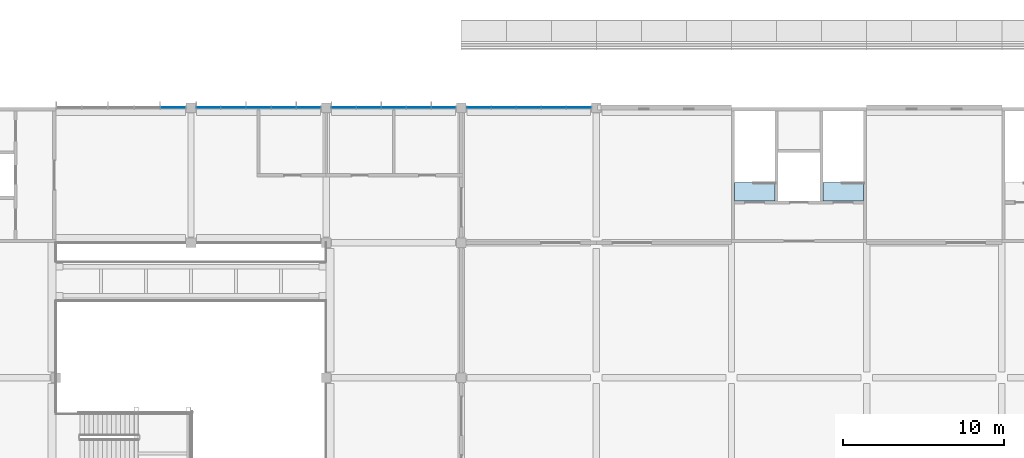
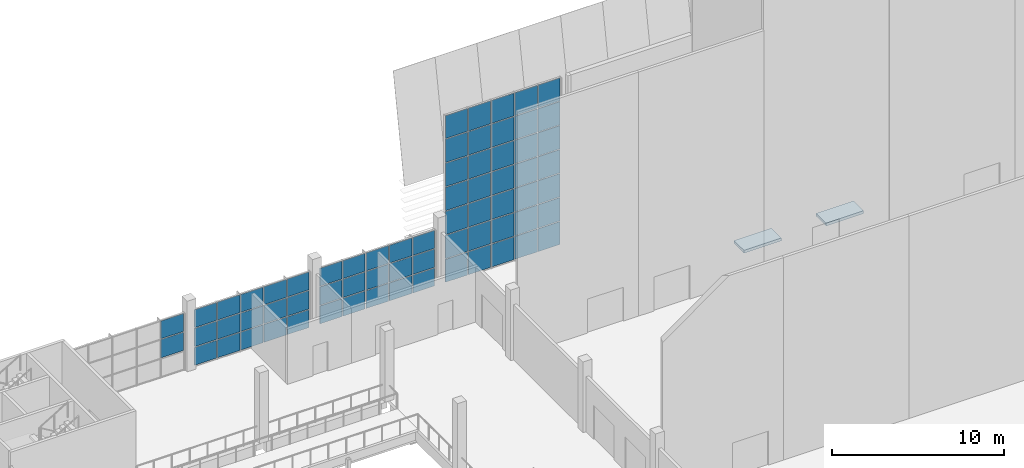
# One storey, part 17 of 59: 67 plates, 2 slabs, 4 elements without a shape of their own.
"""IFC4 building model written with IfcOpenShell, lengths in metres."""

from ifc_helpers import new_model, si_unit, direction, frame, origin, origin_2d, place, context, subcontext, project, spatial, polyline, rectangle, outline, extrude, material, layer, layer_set, type_object, element, aggregate, save


model = new_model("IFC4")

# Units and contexts
model_context = context("Model", 3, precision=1e-05, world=origin(), true_north=direction((0.0, 1.0)))
body_context = subcontext(model_context, "Body", "Model", "MODEL_VIEW")
ifc_project = project(units=[si_unit("LENGTHUNIT", "METRE"), si_unit("AREAUNIT", "SQUARE_METRE"), si_unit("VOLUMEUNIT", "CUBIC_METRE"), si_unit("PLANEANGLEUNIT", "RADIAN"), si_unit("MASSUNIT", "GRAM", prefix="KILO")], contexts=[model_context])

# Site, building, storey
site_placement = place(None, origin())
site = spatial("IfcSite", under=ifc_project, at=site_placement, CompositionType="ELEMENT")
building_placement = place(site_placement, origin())
building = spatial("IfcBuilding", under=site, at=building_placement, Name="Almond Square Museum", CompositionType="ELEMENT")
storey_placement = place(building_placement, frame((0.0, 0.0, 25.0)))
storey = spatial("IfcBuildingStorey", under=building, at=storey_placement, Name="L04", CompositionType="ELEMENT", Elevation=25.0)

# Slabs
ifc_material_1 = material(Name="Concrete C40/50", Category="concrete")
ifc_layer_1 = layer(ifc_material_1, 0.199951171875)
ifc_layer_set_1 = layer_set([ifc_layer_1], Name="Concrete C40/50")
slab_type = type_object("IfcSlabType", Name="Concrete stair landing 200", PredefinedType="LANDING", material=ifc_layer_set_1)
slab_1_placement = place(storey_placement, frame((0.0, 0.0, -0.199951171875)))
element("IfcSlab", 1, at=slab_1_placement, inside=storey, type_object=slab_type, Name="L04 stair H4-1 floor landing", PredefinedType="LANDING", context=body_context, shape_type="SweptSolid", body=[
    extrude(outline(polyline([(123.800048828125, 103.39990234375), (126.300048828125, 103.39990234375), (126.300048828125, 104.552978515625), (123.800048828125, 104.552978515625), (123.800048828125, 103.39990234375)])), origin(), (0.0, 0.0, 1.0), 0.199951171875),
])
slab_2_placement = place(storey_placement, frame((0.0, 0.0, -0.199951171875)))
element("IfcSlab", 2, at=slab_2_placement, inside=storey, type_object=slab_type, Name="L04 stair H4-2 floor landing", PredefinedType="LANDING", context=body_context, shape_type="SweptSolid", body=[
    extrude(outline(polyline([(129.300048828125, 103.39990234375), (131.800048828125, 103.39990234375), (131.800048828125, 104.552978515625), (129.300048828125, 104.552978515625), (129.300048828125, 103.39990234375)])), origin(), (0.0, 0.0, 1.0), 0.199951171875),
])

# Curtain wall, plates
ifc_material_2 = material(Name="Aluminium and laminated glass", Category="aluminium")
curtain_wall_type = type_object("IfcCurtainWallType", Name="Unitised curtain wall 1500 module", PredefinedType="NOTDEFINED", material=ifc_material_2)
curtain_wall_1_placement = place(storey_placement, origin())
curtain_wall_1 = element("IfcCurtainWall", 3, at=curtain_wall_1_placement, inside=storey, type_object=curtain_wall_type, Name="Curtain wall CW-40", PredefinedType="NOTDEFINED")
ifc_material_3 = material(Name="Laminated hurricane-rated glass", Category="glass")
ifc_layer_2 = layer(ifc_material_3, 0.035888671875)
ifc_layer_set_2 = layer_set([ifc_layer_2], Name="Laminated hurricane-rated glass")
plate_type = type_object("IfcPlateType", Name="Laminated glass panel 36", PredefinedType="CURTAIN_PANEL", material=ifc_layer_set_2)
plate_1_placement = place(storey_placement, frame((107.89501953125, 109.199951171875, 0.06005859375), z_axis=(0.0, 0.0, 1.0), x_axis=(1.0, 0.0, 0.0)))
plate_1 = element("IfcPlate", 4, at=plate_1_placement, type_object=plate_type, Name="CW-40 panel 1.1", PredefinedType="CURTAIN_PANEL", context=body_context, shape_type="SweptSolid", body=[
    extrude(rectangle(XDim=1.469970703125, YDim=0.035888671875, at=origin_2d()), origin(), (0.0, 0.0, 1.0), 1.610107421875),
])
plate_2_placement = place(storey_placement, frame((107.89501953125, 109.199951171875, 1.72998046875), z_axis=(0.0, 0.0, 1.0), x_axis=(1.0, 0.0, 0.0)))
plate_2 = element("IfcPlate", 5, at=plate_2_placement, type_object=plate_type, Name="CW-40 panel 1.2", PredefinedType="CURTAIN_PANEL", context=body_context, shape_type="SweptSolid", body=[
    extrude(rectangle(XDim=1.469970703125, YDim=0.035888671875, at=origin_2d()), origin(), (0.0, 0.0, 1.0), 1.639892578125),
])
plate_3_placement = place(storey_placement, frame((107.89501953125, 109.199951171875, 3.43017578125), z_axis=(0.0, 0.0, 1.0), x_axis=(1.0, 0.0, 0.0)))
plate_3 = element("IfcPlate", 6, at=plate_3_placement, type_object=plate_type, Name="CW-40 panel 1.3", PredefinedType="CURTAIN_PANEL", context=body_context, shape_type="SweptSolid", body=[
    extrude(rectangle(XDim=1.469970703125, YDim=0.035888671875, at=origin_2d()), origin(), (0.0, 0.0, 1.0), 1.639892578125),
])
plate_4_placement = place(storey_placement, frame((107.89501953125, 109.199951171875, 5.1298828125), z_axis=(0.0, 0.0, 1.0), x_axis=(1.0, 0.0, 0.0)))
plate_4 = element("IfcPlate", 7, at=plate_4_placement, type_object=plate_type, Name="CW-40 panel 1.4", PredefinedType="CURTAIN_PANEL", context=body_context, shape_type="SweptSolid", body=[
    extrude(rectangle(XDim=1.469970703125, YDim=0.035888671875, at=origin_2d()), origin(), (0.0, 0.0, 1.0), 1.639892578125),
])
plate_5_placement = place(storey_placement, frame((107.89501953125, 109.199951171875, 6.830078125), z_axis=(0.0, 0.0, 1.0), x_axis=(1.0, 0.0, 0.0)))
plate_5 = element("IfcPlate", 8, at=plate_5_placement, type_object=plate_type, Name="CW-40 panel 1.5", PredefinedType="CURTAIN_PANEL", context=body_context, shape_type="SweptSolid", body=[
    extrude(rectangle(XDim=1.469970703125, YDim=0.035888671875, at=origin_2d()), origin(), (0.0, 0.0, 1.0), 1.639892578125),
])
plate_6_placement = place(storey_placement, frame((107.89501953125, 109.199951171875, 8.5302734375), z_axis=(0.0, 0.0, 1.0), x_axis=(1.0, 0.0, 0.0)))
plate_6 = element("IfcPlate", 9, at=plate_6_placement, type_object=plate_type, Name="CW-40 panel 1.6", PredefinedType="CURTAIN_PANEL", context=body_context, shape_type="SweptSolid", body=[
    extrude(rectangle(XDim=1.469970703125, YDim=0.035888671875, at=origin_2d()), origin(), (0.0, 0.0, 1.0), 1.639892578125),
])
plate_7_placement = place(storey_placement, frame((107.89501953125, 109.199951171875, 10.22998046875), z_axis=(0.0, 0.0, 1.0), x_axis=(1.0, 0.0, 0.0)))
plate_7 = element("IfcPlate", 10, at=plate_7_placement, type_object=plate_type, Name="CW-40 panel 1.7", PredefinedType="CURTAIN_PANEL", context=body_context, shape_type="SweptSolid", body=[
    extrude(rectangle(XDim=1.469970703125, YDim=0.035888671875, at=origin_2d()), origin(), (0.0, 0.0, 1.0), 1.610107421875),
])
plate_8_placement = place(storey_placement, frame((109.43994140625, 109.199951171875, 0.06005859375), z_axis=(0.0, 0.0, 1.0), x_axis=(1.0, 0.0, 0.0)))
plate_8 = element("IfcPlate", 11, at=plate_8_placement, type_object=plate_type, Name="CW-40 panel 2.1", PredefinedType="CURTAIN_PANEL", context=body_context, shape_type="SweptSolid", body=[
    extrude(rectangle(XDim=1.5, YDim=0.035888671875, at=origin_2d()), origin(), (0.0, 0.0, 1.0), 1.610107421875),
])
plate_9_placement = place(storey_placement, frame((109.43994140625, 109.199951171875, 1.72998046875), z_axis=(0.0, 0.0, 1.0), x_axis=(1.0, 0.0, 0.0)))
plate_9 = element("IfcPlate", 12, at=plate_9_placement, type_object=plate_type, Name="CW-40 panel 2.2", PredefinedType="CURTAIN_PANEL", context=body_context, shape_type="SweptSolid", body=[
    extrude(rectangle(XDim=1.5, YDim=0.035888671875, at=origin_2d()), origin(), (0.0, 0.0, 1.0), 1.639892578125),
])
plate_10_placement = place(storey_placement, frame((109.43994140625, 109.199951171875, 3.43017578125), z_axis=(0.0, 0.0, 1.0), x_axis=(1.0, 0.0, 0.0)))
plate_10 = element("IfcPlate", 13, at=plate_10_placement, type_object=plate_type, Name="CW-40 panel 2.3", PredefinedType="CURTAIN_PANEL", context=body_context, shape_type="SweptSolid", body=[
    extrude(rectangle(XDim=1.5, YDim=0.035888671875, at=origin_2d()), origin(), (0.0, 0.0, 1.0), 1.639892578125),
])
plate_11_placement = place(storey_placement, frame((109.43994140625, 109.199951171875, 5.1298828125), z_axis=(0.0, 0.0, 1.0), x_axis=(1.0, 0.0, 0.0)))
plate_11 = element("IfcPlate", 14, at=plate_11_placement, type_object=plate_type, Name="CW-40 panel 2.4", PredefinedType="CURTAIN_PANEL", context=body_context, shape_type="SweptSolid", body=[
    extrude(rectangle(XDim=1.5, YDim=0.035888671875, at=origin_2d()), origin(), (0.0, 0.0, 1.0), 1.639892578125),
])
plate_12_placement = place(storey_placement, frame((109.43994140625, 109.199951171875, 6.830078125), z_axis=(0.0, 0.0, 1.0), x_axis=(1.0, 0.0, 0.0)))
plate_12 = element("IfcPlate", 15, at=plate_12_placement, type_object=plate_type, Name="CW-40 panel 2.5", PredefinedType="CURTAIN_PANEL", context=body_context, shape_type="SweptSolid", body=[
    extrude(rectangle(XDim=1.5, YDim=0.035888671875, at=origin_2d()), origin(), (0.0, 0.0, 1.0), 1.639892578125),
])
plate_13_placement = place(storey_placement, frame((109.43994140625, 109.199951171875, 8.5302734375), z_axis=(0.0, 0.0, 1.0), x_axis=(1.0, 0.0, 0.0)))
plate_13 = element("IfcPlate", 16, at=plate_13_placement, type_object=plate_type, Name="CW-40 panel 2.6", PredefinedType="CURTAIN_PANEL", context=body_context, shape_type="SweptSolid", body=[
    extrude(rectangle(XDim=1.5, YDim=0.035888671875, at=origin_2d()), origin(), (0.0, 0.0, 1.0), 1.639892578125),
])
plate_14_placement = place(storey_placement, frame((109.43994140625, 109.199951171875, 10.22998046875), z_axis=(0.0, 0.0, 1.0), x_axis=(1.0, 0.0, 0.0)))
plate_14 = element("IfcPlate", 17, at=plate_14_placement, type_object=plate_type, Name="CW-40 panel 2.7", PredefinedType="CURTAIN_PANEL", context=body_context, shape_type="SweptSolid", body=[
    extrude(rectangle(XDim=1.5, YDim=0.035888671875, at=origin_2d()), origin(), (0.0, 0.0, 1.0), 1.610107421875),
])
plate_15_placement = place(storey_placement, frame((111.0, 109.199951171875, 0.06005859375), z_axis=(0.0, 0.0, 1.0), x_axis=(1.0, 0.0, 0.0)))
plate_15 = element("IfcPlate", 18, at=plate_15_placement, type_object=plate_type, Name="CW-40 panel 3.1", PredefinedType="CURTAIN_PANEL", context=body_context, shape_type="SweptSolid", body=[
    extrude(rectangle(XDim=1.5, YDim=0.035888671875, at=origin_2d()), origin(), (0.0, 0.0, 1.0), 1.610107421875),
])
plate_16_placement = place(storey_placement, frame((111.0, 109.199951171875, 1.72998046875), z_axis=(0.0, 0.0, 1.0), x_axis=(1.0, 0.0, 0.0)))
plate_16 = element("IfcPlate", 19, at=plate_16_placement, type_object=plate_type, Name="CW-40 panel 3.2", PredefinedType="CURTAIN_PANEL", context=body_context, shape_type="SweptSolid", body=[
    extrude(rectangle(XDim=1.5, YDim=0.035888671875, at=origin_2d()), origin(), (0.0, 0.0, 1.0), 1.639892578125),
])
plate_17_placement = place(storey_placement, frame((111.0, 109.199951171875, 3.43017578125), z_axis=(0.0, 0.0, 1.0), x_axis=(1.0, 0.0, 0.0)))
plate_17 = element("IfcPlate", 20, at=plate_17_placement, type_object=plate_type, Name="CW-40 panel 3.3", PredefinedType="CURTAIN_PANEL", context=body_context, shape_type="SweptSolid", body=[
    extrude(rectangle(XDim=1.5, YDim=0.035888671875, at=origin_2d()), origin(), (0.0, 0.0, 1.0), 1.639892578125),
])
plate_18_placement = place(storey_placement, frame((111.0, 109.199951171875, 5.1298828125), z_axis=(0.0, 0.0, 1.0), x_axis=(1.0, 0.0, 0.0)))
plate_18 = element("IfcPlate", 21, at=plate_18_placement, type_object=plate_type, Name="CW-40 panel 3.4", PredefinedType="CURTAIN_PANEL", context=body_context, shape_type="SweptSolid", body=[
    extrude(rectangle(XDim=1.5, YDim=0.035888671875, at=origin_2d()), origin(), (0.0, 0.0, 1.0), 1.639892578125),
])
plate_19_placement = place(storey_placement, frame((111.0, 109.199951171875, 6.830078125), z_axis=(0.0, 0.0, 1.0), x_axis=(1.0, 0.0, 0.0)))
plate_19 = element("IfcPlate", 22, at=plate_19_placement, type_object=plate_type, Name="CW-40 panel 3.5", PredefinedType="CURTAIN_PANEL", context=body_context, shape_type="SweptSolid", body=[
    extrude(rectangle(XDim=1.5, YDim=0.035888671875, at=origin_2d()), origin(), (0.0, 0.0, 1.0), 1.639892578125),
])
plate_20_placement = place(storey_placement, frame((111.0, 109.199951171875, 8.5302734375), z_axis=(0.0, 0.0, 1.0), x_axis=(1.0, 0.0, 0.0)))
plate_20 = element("IfcPlate", 23, at=plate_20_placement, type_object=plate_type, Name="CW-40 panel 3.6", PredefinedType="CURTAIN_PANEL", context=body_context, shape_type="SweptSolid", body=[
    extrude(rectangle(XDim=1.5, YDim=0.035888671875, at=origin_2d()), origin(), (0.0, 0.0, 1.0), 1.639892578125),
])
plate_21_placement = place(storey_placement, frame((111.0, 109.199951171875, 10.22998046875), z_axis=(0.0, 0.0, 1.0), x_axis=(1.0, 0.0, 0.0)))
plate_21 = element("IfcPlate", 24, at=plate_21_placement, type_object=plate_type, Name="CW-40 panel 3.7", PredefinedType="CURTAIN_PANEL", context=body_context, shape_type="SweptSolid", body=[
    extrude(rectangle(XDim=1.5, YDim=0.035888671875, at=origin_2d()), origin(), (0.0, 0.0, 1.0), 1.610107421875),
])
plate_22_placement = place(storey_placement, frame((112.56005859375, 109.199951171875, 0.06005859375), z_axis=(0.0, 0.0, 1.0), x_axis=(1.0, 0.0, 0.0)))
plate_22 = element("IfcPlate", 25, at=plate_22_placement, type_object=plate_type, Name="CW-40 panel 4.1", PredefinedType="CURTAIN_PANEL", context=body_context, shape_type="SweptSolid", body=[
    extrude(rectangle(XDim=1.5, YDim=0.035888671875, at=origin_2d()), origin(), (0.0, 0.0, 1.0), 1.610107421875),
])
plate_23_placement = place(storey_placement, frame((112.56005859375, 109.199951171875, 1.72998046875), z_axis=(0.0, 0.0, 1.0), x_axis=(1.0, 0.0, 0.0)))
plate_23 = element("IfcPlate", 26, at=plate_23_placement, type_object=plate_type, Name="CW-40 panel 4.2", PredefinedType="CURTAIN_PANEL", context=body_context, shape_type="SweptSolid", body=[
    extrude(rectangle(XDim=1.5, YDim=0.035888671875, at=origin_2d()), origin(), (0.0, 0.0, 1.0), 1.639892578125),
])
plate_24_placement = place(storey_placement, frame((112.56005859375, 109.199951171875, 3.43017578125), z_axis=(0.0, 0.0, 1.0), x_axis=(1.0, 0.0, 0.0)))
plate_24 = element("IfcPlate", 27, at=plate_24_placement, type_object=plate_type, Name="CW-40 panel 4.3", PredefinedType="CURTAIN_PANEL", context=body_context, shape_type="SweptSolid", body=[
    extrude(rectangle(XDim=1.5, YDim=0.035888671875, at=origin_2d()), origin(), (0.0, 0.0, 1.0), 1.639892578125),
])
plate_25_placement = place(storey_placement, frame((112.56005859375, 109.199951171875, 5.1298828125), z_axis=(0.0, 0.0, 1.0), x_axis=(1.0, 0.0, 0.0)))
plate_25 = element("IfcPlate", 28, at=plate_25_placement, type_object=plate_type, Name="CW-40 panel 4.4", PredefinedType="CURTAIN_PANEL", context=body_context, shape_type="SweptSolid", body=[
    extrude(rectangle(XDim=1.5, YDim=0.035888671875, at=origin_2d()), origin(), (0.0, 0.0, 1.0), 1.639892578125),
])
plate_26_placement = place(storey_placement, frame((112.56005859375, 109.199951171875, 6.830078125), z_axis=(0.0, 0.0, 1.0), x_axis=(1.0, 0.0, 0.0)))
plate_26 = element("IfcPlate", 29, at=plate_26_placement, type_object=plate_type, Name="CW-40 panel 4.5", PredefinedType="CURTAIN_PANEL", context=body_context, shape_type="SweptSolid", body=[
    extrude(rectangle(XDim=1.5, YDim=0.035888671875, at=origin_2d()), origin(), (0.0, 0.0, 1.0), 1.639892578125),
])
plate_27_placement = place(storey_placement, frame((112.56005859375, 109.199951171875, 8.5302734375), z_axis=(0.0, 0.0, 1.0), x_axis=(1.0, 0.0, 0.0)))
plate_27 = element("IfcPlate", 30, at=plate_27_placement, type_object=plate_type, Name="CW-40 panel 4.6", PredefinedType="CURTAIN_PANEL", context=body_context, shape_type="SweptSolid", body=[
    extrude(rectangle(XDim=1.5, YDim=0.035888671875, at=origin_2d()), origin(), (0.0, 0.0, 1.0), 1.639892578125),
])
plate_28_placement = place(storey_placement, frame((112.56005859375, 109.199951171875, 10.22998046875), z_axis=(0.0, 0.0, 1.0), x_axis=(1.0, 0.0, 0.0)))
plate_28 = element("IfcPlate", 31, at=plate_28_placement, type_object=plate_type, Name="CW-40 panel 4.7", PredefinedType="CURTAIN_PANEL", context=body_context, shape_type="SweptSolid", body=[
    extrude(rectangle(XDim=1.5, YDim=0.035888671875, at=origin_2d()), origin(), (0.0, 0.0, 1.0), 1.610107421875),
])
plate_29_placement = place(storey_placement, frame((114.10498046875, 109.199951171875, 0.06005859375), z_axis=(0.0, 0.0, 1.0), x_axis=(1.0, 0.0, 0.0)))
plate_29 = element("IfcPlate", 32, at=plate_29_placement, type_object=plate_type, Name="CW-40 panel 5.1", PredefinedType="CURTAIN_PANEL", context=body_context, shape_type="SweptSolid", body=[
    extrude(rectangle(XDim=1.469970703125, YDim=0.035888671875, at=origin_2d()), origin(), (0.0, 0.0, 1.0), 1.610107421875),
])
plate_30_placement = place(storey_placement, frame((114.10498046875, 109.199951171875, 1.72998046875), z_axis=(0.0, 0.0, 1.0), x_axis=(1.0, 0.0, 0.0)))
plate_30 = element("IfcPlate", 33, at=plate_30_placement, type_object=plate_type, Name="CW-40 panel 5.2", PredefinedType="CURTAIN_PANEL", context=body_context, shape_type="SweptSolid", body=[
    extrude(rectangle(XDim=1.469970703125, YDim=0.035888671875, at=origin_2d()), origin(), (0.0, 0.0, 1.0), 1.639892578125),
])
plate_31_placement = place(storey_placement, frame((114.10498046875, 109.199951171875, 3.43017578125), z_axis=(0.0, 0.0, 1.0), x_axis=(1.0, 0.0, 0.0)))
plate_31 = element("IfcPlate", 34, at=plate_31_placement, type_object=plate_type, Name="CW-40 panel 5.3", PredefinedType="CURTAIN_PANEL", context=body_context, shape_type="SweptSolid", body=[
    extrude(rectangle(XDim=1.469970703125, YDim=0.035888671875, at=origin_2d()), origin(), (0.0, 0.0, 1.0), 1.639892578125),
])
plate_32_placement = place(storey_placement, frame((114.10498046875, 109.199951171875, 5.1298828125), z_axis=(0.0, 0.0, 1.0), x_axis=(1.0, 0.0, 0.0)))
plate_32 = element("IfcPlate", 35, at=plate_32_placement, type_object=plate_type, Name="CW-40 panel 5.4", PredefinedType="CURTAIN_PANEL", context=body_context, shape_type="SweptSolid", body=[
    extrude(rectangle(XDim=1.469970703125, YDim=0.035888671875, at=origin_2d()), origin(), (0.0, 0.0, 1.0), 1.639892578125),
])
plate_33_placement = place(storey_placement, frame((114.10498046875, 109.199951171875, 6.830078125), z_axis=(0.0, 0.0, 1.0), x_axis=(1.0, 0.0, 0.0)))
plate_33 = element("IfcPlate", 36, at=plate_33_placement, type_object=plate_type, Name="CW-40 panel 5.5", PredefinedType="CURTAIN_PANEL", context=body_context, shape_type="SweptSolid", body=[
    extrude(rectangle(XDim=1.469970703125, YDim=0.035888671875, at=origin_2d()), origin(), (0.0, 0.0, 1.0), 1.639892578125),
])
plate_34_placement = place(storey_placement, frame((114.10498046875, 109.199951171875, 8.5302734375), z_axis=(0.0, 0.0, 1.0), x_axis=(1.0, 0.0, 0.0)))
plate_34 = element("IfcPlate", 37, at=plate_34_placement, type_object=plate_type, Name="CW-40 panel 5.6", PredefinedType="CURTAIN_PANEL", context=body_context, shape_type="SweptSolid", body=[
    extrude(rectangle(XDim=1.469970703125, YDim=0.035888671875, at=origin_2d()), origin(), (0.0, 0.0, 1.0), 1.639892578125),
])
plate_35_placement = place(storey_placement, frame((114.10498046875, 109.199951171875, 10.22998046875), z_axis=(0.0, 0.0, 1.0), x_axis=(1.0, 0.0, 0.0)))
plate_35 = element("IfcPlate", 38, at=plate_35_placement, type_object=plate_type, Name="CW-40 panel 5.7", PredefinedType="CURTAIN_PANEL", context=body_context, shape_type="SweptSolid", body=[
    extrude(rectangle(XDim=1.469970703125, YDim=0.035888671875, at=origin_2d()), origin(), (0.0, 0.0, 1.0), 1.610107421875),
])
aggregate(curtain_wall_1, [plate_1, plate_2, plate_3, plate_4, plate_5, plate_6, plate_7, plate_8, plate_9, plate_10, plate_11, plate_12, plate_13, plate_14, plate_15, plate_16, plate_17, plate_18, plate_19, plate_20, plate_21, plate_22, plate_23, plate_24, plate_25, plate_26, plate_27, plate_28, plate_29, plate_30, plate_31, plate_32, plate_33, plate_34, plate_35])

curtain_wall_2_placement = place(storey_placement, origin())
curtain_wall_2 = element("IfcCurtainWall", 39, at=curtain_wall_2_placement, inside=storey, type_object=curtain_wall_type, Name="Curtain wall CW-41", PredefinedType="NOTDEFINED")
plate_36_placement = place(storey_placement, frame((99.4951171875, 109.199951171875, 0.06005859375), z_axis=(0.0, 0.0, 1.0), x_axis=(1.0, 0.0, 0.0)))
plate_36 = element("IfcPlate", 40, at=plate_36_placement, type_object=plate_type, Name="CW-41 panel 1.1", PredefinedType="CURTAIN_PANEL", context=body_context, shape_type="SweptSolid", body=[
    extrude(rectangle(XDim=1.469970703125, YDim=0.035888671875, at=origin_2d()), origin(), (0.0, 0.0, 1.0), 1.260009765625),
])
plate_37_placement = place(storey_placement, frame((99.4951171875, 109.199951171875, 1.3798828125), z_axis=(0.0, 0.0, 1.0), x_axis=(1.0, 0.0, 0.0)))
plate_37 = element("IfcPlate", 41, at=plate_37_placement, type_object=plate_type, Name="CW-41 panel 1.2", PredefinedType="CURTAIN_PANEL", context=body_context, shape_type="SweptSolid", body=[
    extrude(rectangle(XDim=1.469970703125, YDim=0.035888671875, at=origin_2d()), origin(), (0.0, 0.0, 1.0), 1.2900390625),
])
plate_38_placement = place(storey_placement, frame((99.4951171875, 109.199951171875, 2.72998046875), z_axis=(0.0, 0.0, 1.0), x_axis=(1.0, 0.0, 0.0)))
plate_38 = element("IfcPlate", 42, at=plate_38_placement, type_object=plate_type, Name="CW-41 panel 1.3", PredefinedType="CURTAIN_PANEL", context=body_context, shape_type="SweptSolid", body=[
    extrude(rectangle(XDim=1.469970703125, YDim=0.035888671875, at=origin_2d()), origin(), (0.0, 0.0, 1.0), 1.260009765625),
])
plate_39_placement = place(storey_placement, frame((101.0400390625, 109.199951171875, 0.06005859375), z_axis=(0.0, 0.0, 1.0), x_axis=(1.0, 0.0, 0.0)))
plate_39 = element("IfcPlate", 43, at=plate_39_placement, type_object=plate_type, Name="CW-41 panel 2.1", PredefinedType="CURTAIN_PANEL", context=body_context, shape_type="SweptSolid", body=[
    extrude(rectangle(XDim=1.5, YDim=0.035888671875, at=origin_2d()), origin(), (0.0, 0.0, 1.0), 1.260009765625),
])
plate_40_placement = place(storey_placement, frame((101.0400390625, 109.199951171875, 1.3798828125), z_axis=(0.0, 0.0, 1.0), x_axis=(1.0, 0.0, 0.0)))
plate_40 = element("IfcPlate", 44, at=plate_40_placement, type_object=plate_type, Name="CW-41 panel 2.2", PredefinedType="CURTAIN_PANEL", context=body_context, shape_type="SweptSolid", body=[
    extrude(rectangle(XDim=1.5, YDim=0.035888671875, at=origin_2d()), origin(), (0.0, 0.0, 1.0), 1.2900390625),
])
plate_41_placement = place(storey_placement, frame((101.0400390625, 109.199951171875, 2.72998046875), z_axis=(0.0, 0.0, 1.0), x_axis=(1.0, 0.0, 0.0)))
plate_41 = element("IfcPlate", 45, at=plate_41_placement, type_object=plate_type, Name="CW-41 panel 2.3", PredefinedType="CURTAIN_PANEL", context=body_context, shape_type="SweptSolid", body=[
    extrude(rectangle(XDim=1.5, YDim=0.035888671875, at=origin_2d()), origin(), (0.0, 0.0, 1.0), 1.260009765625),
])
plate_42_placement = place(storey_placement, frame((102.60009765625, 109.199951171875, 0.06005859375), z_axis=(0.0, 0.0, 1.0), x_axis=(1.0, 0.0, 0.0)))
plate_42 = element("IfcPlate", 46, at=plate_42_placement, type_object=plate_type, Name="CW-41 panel 3.1", PredefinedType="CURTAIN_PANEL", context=body_context, shape_type="SweptSolid", body=[
    extrude(rectangle(XDim=1.5, YDim=0.035888671875, at=origin_2d()), origin(), (0.0, 0.0, 1.0), 1.260009765625),
])
plate_43_placement = place(storey_placement, frame((102.60009765625, 109.199951171875, 1.3798828125), z_axis=(0.0, 0.0, 1.0), x_axis=(1.0, 0.0, 0.0)))
plate_43 = element("IfcPlate", 47, at=plate_43_placement, type_object=plate_type, Name="CW-41 panel 3.2", PredefinedType="CURTAIN_PANEL", context=body_context, shape_type="SweptSolid", body=[
    extrude(rectangle(XDim=1.5, YDim=0.035888671875, at=origin_2d()), origin(), (0.0, 0.0, 1.0), 1.2900390625),
])
plate_44_placement = place(storey_placement, frame((102.60009765625, 109.199951171875, 2.72998046875), z_axis=(0.0, 0.0, 1.0), x_axis=(1.0, 0.0, 0.0)))
plate_44 = element("IfcPlate", 48, at=plate_44_placement, type_object=plate_type, Name="CW-41 panel 3.3", PredefinedType="CURTAIN_PANEL", context=body_context, shape_type="SweptSolid", body=[
    extrude(rectangle(XDim=1.5, YDim=0.035888671875, at=origin_2d()), origin(), (0.0, 0.0, 1.0), 1.260009765625),
])
plate_45_placement = place(storey_placement, frame((104.159912109375, 109.199951171875, 0.06005859375), z_axis=(0.0, 0.0, 1.0), x_axis=(1.0, 0.0, 0.0)))
plate_45 = element("IfcPlate", 49, at=plate_45_placement, type_object=plate_type, Name="CW-41 panel 4.1", PredefinedType="CURTAIN_PANEL", context=body_context, shape_type="SweptSolid", body=[
    extrude(rectangle(XDim=1.5, YDim=0.035888671875, at=origin_2d()), origin(), (0.0, 0.0, 1.0), 1.260009765625),
])
plate_46_placement = place(storey_placement, frame((104.159912109375, 109.199951171875, 1.3798828125), z_axis=(0.0, 0.0, 1.0), x_axis=(1.0, 0.0, 0.0)))
plate_46 = element("IfcPlate", 50, at=plate_46_placement, type_object=plate_type, Name="CW-41 panel 4.2", PredefinedType="CURTAIN_PANEL", context=body_context, shape_type="SweptSolid", body=[
    extrude(rectangle(XDim=1.5, YDim=0.035888671875, at=origin_2d()), origin(), (0.0, 0.0, 1.0), 1.2900390625),
])
plate_47_placement = place(storey_placement, frame((104.159912109375, 109.199951171875, 2.72998046875), z_axis=(0.0, 0.0, 1.0), x_axis=(1.0, 0.0, 0.0)))
plate_47 = element("IfcPlate", 51, at=plate_47_placement, type_object=plate_type, Name="CW-41 panel 4.3", PredefinedType="CURTAIN_PANEL", context=body_context, shape_type="SweptSolid", body=[
    extrude(rectangle(XDim=1.5, YDim=0.035888671875, at=origin_2d()), origin(), (0.0, 0.0, 1.0), 1.260009765625),
])
plate_48_placement = place(storey_placement, frame((105.705078125, 109.199951171875, 0.06005859375), z_axis=(0.0, 0.0, 1.0), x_axis=(1.0, 0.0, 0.0)))
plate_48 = element("IfcPlate", 52, at=plate_48_placement, type_object=plate_type, Name="CW-41 panel 5.1", PredefinedType="CURTAIN_PANEL", context=body_context, shape_type="SweptSolid", body=[
    extrude(rectangle(XDim=1.469970703125, YDim=0.035888671875, at=origin_2d()), origin(), (0.0, 0.0, 1.0), 1.260009765625),
])
plate_49_placement = place(storey_placement, frame((105.705078125, 109.199951171875, 1.3798828125), z_axis=(0.0, 0.0, 1.0), x_axis=(1.0, 0.0, 0.0)))
plate_49 = element("IfcPlate", 53, at=plate_49_placement, type_object=plate_type, Name="CW-41 panel 5.2", PredefinedType="CURTAIN_PANEL", context=body_context, shape_type="SweptSolid", body=[
    extrude(rectangle(XDim=1.469970703125, YDim=0.035888671875, at=origin_2d()), origin(), (0.0, 0.0, 1.0), 1.2900390625),
])
plate_50_placement = place(storey_placement, frame((105.705078125, 109.199951171875, 2.72998046875), z_axis=(0.0, 0.0, 1.0), x_axis=(1.0, 0.0, 0.0)))
plate_50 = element("IfcPlate", 54, at=plate_50_placement, type_object=plate_type, Name="CW-41 panel 5.3", PredefinedType="CURTAIN_PANEL", context=body_context, shape_type="SweptSolid", body=[
    extrude(rectangle(XDim=1.469970703125, YDim=0.035888671875, at=origin_2d()), origin(), (0.0, 0.0, 1.0), 1.260009765625),
])
aggregate(curtain_wall_2, [plate_36, plate_37, plate_38, plate_39, plate_40, plate_41, plate_42, plate_43, plate_44, plate_45, plate_46, plate_47, plate_48, plate_49, plate_50])

curtain_wall_3_placement = place(storey_placement, origin())
curtain_wall_3 = element("IfcCurtainWall", 55, at=curtain_wall_3_placement, inside=storey, type_object=curtain_wall_type, Name="Curtain wall CW-42", PredefinedType="NOTDEFINED")
plate_51_placement = place(storey_placement, frame((91.094970703125, 109.199951171875, 0.06005859375), z_axis=(0.0, 0.0, 1.0), x_axis=(1.0, 0.0, 0.0)))
plate_51 = element("IfcPlate", 56, at=plate_51_placement, type_object=plate_type, Name="CW-42 panel 1.1", PredefinedType="CURTAIN_PANEL", context=body_context, shape_type="SweptSolid", body=[
    extrude(rectangle(XDim=1.469970703125, YDim=0.035888671875, at=origin_2d()), origin(), (0.0, 0.0, 1.0), 1.260009765625),
])
plate_52_placement = place(storey_placement, frame((91.094970703125, 109.199951171875, 1.3798828125), z_axis=(0.0, 0.0, 1.0), x_axis=(1.0, 0.0, 0.0)))
plate_52 = element("IfcPlate", 57, at=plate_52_placement, type_object=plate_type, Name="CW-42 panel 1.2", PredefinedType="CURTAIN_PANEL", context=body_context, shape_type="SweptSolid", body=[
    extrude(rectangle(XDim=1.469970703125, YDim=0.035888671875, at=origin_2d()), origin(), (0.0, 0.0, 1.0), 1.2900390625),
])
plate_53_placement = place(storey_placement, frame((91.094970703125, 109.199951171875, 2.72998046875), z_axis=(0.0, 0.0, 1.0), x_axis=(1.0, 0.0, 0.0)))
plate_53 = element("IfcPlate", 58, at=plate_53_placement, type_object=plate_type, Name="CW-42 panel 1.3", PredefinedType="CURTAIN_PANEL", context=body_context, shape_type="SweptSolid", body=[
    extrude(rectangle(XDim=1.469970703125, YDim=0.035888671875, at=origin_2d()), origin(), (0.0, 0.0, 1.0), 1.260009765625),
])
plate_54_placement = place(storey_placement, frame((92.639892578125, 109.199951171875, 0.06005859375), z_axis=(0.0, 0.0, 1.0), x_axis=(1.0, 0.0, 0.0)))
plate_54 = element("IfcPlate", 59, at=plate_54_placement, type_object=plate_type, Name="CW-42 panel 2.1", PredefinedType="CURTAIN_PANEL", context=body_context, shape_type="SweptSolid", body=[
    extrude(rectangle(XDim=1.5, YDim=0.035888671875, at=origin_2d()), origin(), (0.0, 0.0, 1.0), 1.260009765625),
])
plate_55_placement = place(storey_placement, frame((92.639892578125, 109.199951171875, 1.3798828125), z_axis=(0.0, 0.0, 1.0), x_axis=(1.0, 0.0, 0.0)))
plate_55 = element("IfcPlate", 60, at=plate_55_placement, type_object=plate_type, Name="CW-42 panel 2.2", PredefinedType="CURTAIN_PANEL", context=body_context, shape_type="SweptSolid", body=[
    extrude(rectangle(XDim=1.5, YDim=0.035888671875, at=origin_2d()), origin(), (0.0, 0.0, 1.0), 1.2900390625),
])
plate_56_placement = place(storey_placement, frame((92.639892578125, 109.199951171875, 2.72998046875), z_axis=(0.0, 0.0, 1.0), x_axis=(1.0, 0.0, 0.0)))
plate_56 = element("IfcPlate", 61, at=plate_56_placement, type_object=plate_type, Name="CW-42 panel 2.3", PredefinedType="CURTAIN_PANEL", context=body_context, shape_type="SweptSolid", body=[
    extrude(rectangle(XDim=1.5, YDim=0.035888671875, at=origin_2d()), origin(), (0.0, 0.0, 1.0), 1.260009765625),
])
plate_57_placement = place(storey_placement, frame((94.199951171875, 109.199951171875, 0.06005859375), z_axis=(0.0, 0.0, 1.0), x_axis=(1.0, 0.0, 0.0)))
plate_57 = element("IfcPlate", 62, at=plate_57_placement, type_object=plate_type, Name="CW-42 panel 3.1", PredefinedType="CURTAIN_PANEL", context=body_context, shape_type="SweptSolid", body=[
    extrude(rectangle(XDim=1.5, YDim=0.035888671875, at=origin_2d()), origin(), (0.0, 0.0, 1.0), 1.260009765625),
])
plate_58_placement = place(storey_placement, frame((94.199951171875, 109.199951171875, 1.3798828125), z_axis=(0.0, 0.0, 1.0), x_axis=(1.0, 0.0, 0.0)))
plate_58 = element("IfcPlate", 63, at=plate_58_placement, type_object=plate_type, Name="CW-42 panel 3.2", PredefinedType="CURTAIN_PANEL", context=body_context, shape_type="SweptSolid", body=[
    extrude(rectangle(XDim=1.5, YDim=0.035888671875, at=origin_2d()), origin(), (0.0, 0.0, 1.0), 1.2900390625),
])
plate_59_placement = place(storey_placement, frame((94.199951171875, 109.199951171875, 2.72998046875), z_axis=(0.0, 0.0, 1.0), x_axis=(1.0, 0.0, 0.0)))
plate_59 = element("IfcPlate", 64, at=plate_59_placement, type_object=plate_type, Name="CW-42 panel 3.3", PredefinedType="CURTAIN_PANEL", context=body_context, shape_type="SweptSolid", body=[
    extrude(rectangle(XDim=1.5, YDim=0.035888671875, at=origin_2d()), origin(), (0.0, 0.0, 1.0), 1.260009765625),
])
plate_60_placement = place(storey_placement, frame((95.760009765625, 109.199951171875, 0.06005859375), z_axis=(0.0, 0.0, 1.0), x_axis=(1.0, 0.0, 0.0)))
plate_60 = element("IfcPlate", 65, at=plate_60_placement, type_object=plate_type, Name="CW-42 panel 4.1", PredefinedType="CURTAIN_PANEL", context=body_context, shape_type="SweptSolid", body=[
    extrude(rectangle(XDim=1.5, YDim=0.035888671875, at=origin_2d()), origin(), (0.0, 0.0, 1.0), 1.260009765625),
])
plate_61_placement = place(storey_placement, frame((95.760009765625, 109.199951171875, 1.3798828125), z_axis=(0.0, 0.0, 1.0), x_axis=(1.0, 0.0, 0.0)))
plate_61 = element("IfcPlate", 66, at=plate_61_placement, type_object=plate_type, Name="CW-42 panel 4.2", PredefinedType="CURTAIN_PANEL", context=body_context, shape_type="SweptSolid", body=[
    extrude(rectangle(XDim=1.5, YDim=0.035888671875, at=origin_2d()), origin(), (0.0, 0.0, 1.0), 1.2900390625),
])
plate_62_placement = place(storey_placement, frame((95.760009765625, 109.199951171875, 2.72998046875), z_axis=(0.0, 0.0, 1.0), x_axis=(1.0, 0.0, 0.0)))
plate_62 = element("IfcPlate", 67, at=plate_62_placement, type_object=plate_type, Name="CW-42 panel 4.3", PredefinedType="CURTAIN_PANEL", context=body_context, shape_type="SweptSolid", body=[
    extrude(rectangle(XDim=1.5, YDim=0.035888671875, at=origin_2d()), origin(), (0.0, 0.0, 1.0), 1.260009765625),
])
plate_63_placement = place(storey_placement, frame((97.304931640625, 109.199951171875, 0.06005859375), z_axis=(0.0, 0.0, 1.0), x_axis=(1.0, 0.0, 0.0)))
plate_63 = element("IfcPlate", 68, at=plate_63_placement, type_object=plate_type, Name="CW-42 panel 5.1", PredefinedType="CURTAIN_PANEL", context=body_context, shape_type="SweptSolid", body=[
    extrude(rectangle(XDim=1.469970703125, YDim=0.035888671875, at=origin_2d()), origin(), (0.0, 0.0, 1.0), 1.260009765625),
])
plate_64_placement = place(storey_placement, frame((97.304931640625, 109.199951171875, 1.3798828125), z_axis=(0.0, 0.0, 1.0), x_axis=(1.0, 0.0, 0.0)))
plate_64 = element("IfcPlate", 69, at=plate_64_placement, type_object=plate_type, Name="CW-42 panel 5.2", PredefinedType="CURTAIN_PANEL", context=body_context, shape_type="SweptSolid", body=[
    extrude(rectangle(XDim=1.469970703125, YDim=0.035888671875, at=origin_2d()), origin(), (0.0, 0.0, 1.0), 1.2900390625),
])
plate_65_placement = place(storey_placement, frame((97.304931640625, 109.199951171875, 2.72998046875), z_axis=(0.0, 0.0, 1.0), x_axis=(1.0, 0.0, 0.0)))
plate_65 = element("IfcPlate", 70, at=plate_65_placement, type_object=plate_type, Name="CW-42 panel 5.3", PredefinedType="CURTAIN_PANEL", context=body_context, shape_type="SweptSolid", body=[
    extrude(rectangle(XDim=1.469970703125, YDim=0.035888671875, at=origin_2d()), origin(), (0.0, 0.0, 1.0), 1.260009765625),
])
aggregate(curtain_wall_3, [plate_51, plate_52, plate_53, plate_54, plate_55, plate_56, plate_57, plate_58, plate_59, plate_60, plate_61, plate_62, plate_63, plate_64, plate_65])

curtain_wall_4_placement = place(storey_placement, origin())
curtain_wall_4 = element("IfcCurtainWall", 71, at=curtain_wall_4_placement, inside=storey, type_object=curtain_wall_type, Name="Curtain wall CW-43", PredefinedType="NOTDEFINED")
plate_66_placement = place(storey_placement, frame((88.875, 109.199951171875, 1.3798828125), z_axis=(0.0, 0.0, 1.0), x_axis=(1.0, 0.0, 0.0)))
plate_66 = element("IfcPlate", 72, at=plate_66_placement, type_object=plate_type, Name="CW-43 panel 5.2", PredefinedType="CURTAIN_PANEL", context=body_context, shape_type="SweptSolid", body=[
    extrude(rectangle(XDim=1.530029296875, YDim=0.035888671875, at=origin_2d()), origin(), (0.0, 0.0, 1.0), 1.2900390625),
])
plate_67_placement = place(storey_placement, frame((88.875, 109.199951171875, 2.72998046875), z_axis=(0.0, 0.0, 1.0), x_axis=(1.0, 0.0, 0.0)))
plate_67 = element("IfcPlate", 73, at=plate_67_placement, type_object=plate_type, Name="CW-43 panel 5.3", PredefinedType="CURTAIN_PANEL", context=body_context, shape_type="SweptSolid", body=[
    extrude(rectangle(XDim=1.530029296875, YDim=0.035888671875, at=origin_2d()), origin(), (0.0, 0.0, 1.0), 1.260009765625),
])
aggregate(curtain_wall_4, [plate_66, plate_67])

save(model, "model.ifc")
